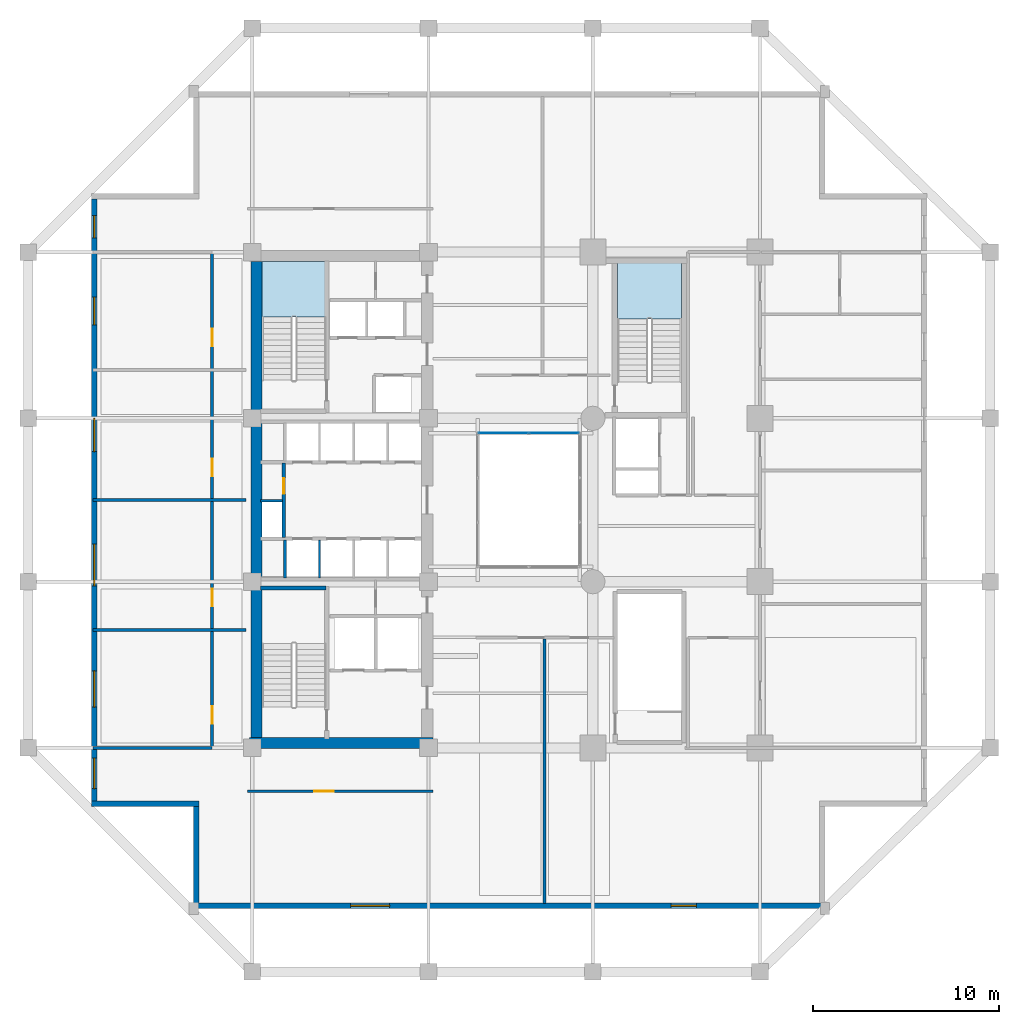
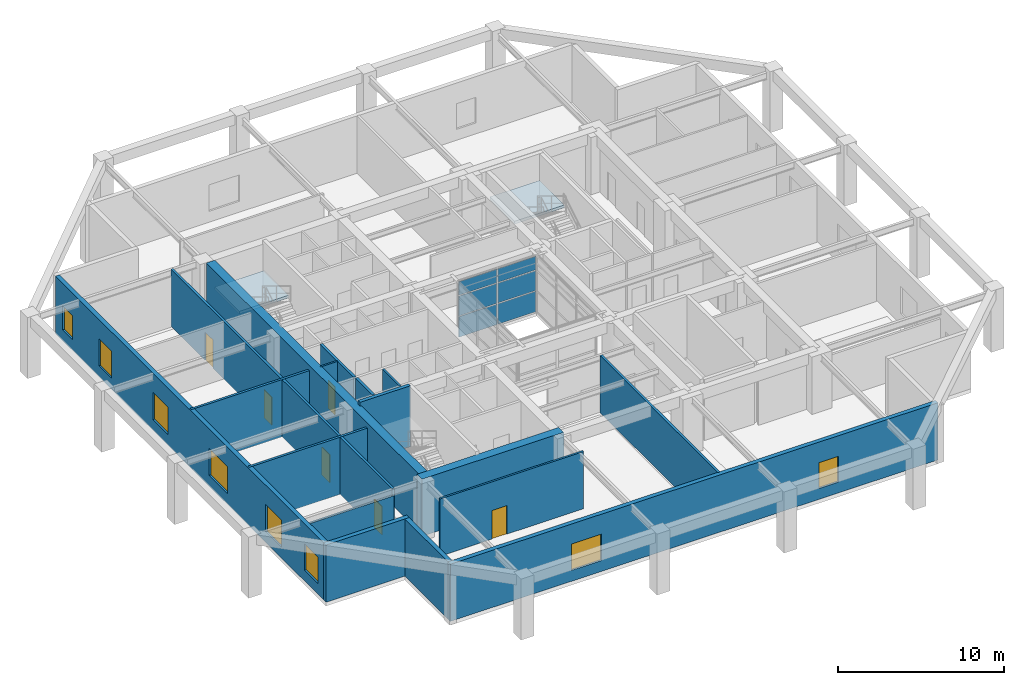
# One storey, part 6 of 13: 17 walls, 8 windows, 6 doors, 6 plates, 2 slabs, 14 openings, 3 elements without a shape of their own.
"""IFC4 building model written with IfcOpenShell, lengths in metres."""

from ifc_helpers import new_model, si_unit, direction, frame, frame_2d, origin, origin_2d, place, context, subcontext, project, spatial, polyline, rectangle, outline, extrude, material, layer, layer_set, type_object, element, fill, aggregate, save


model = new_model("IFC4")

# Units and contexts
model_context = context("Model", 3, precision=1e-05, world=origin(), true_north=direction((0.0, 1.0)))
body_context = subcontext(model_context, "Body", "Model", "MODEL_VIEW")
ifc_project = project(units=[si_unit("LENGTHUNIT", "METRE"), si_unit("AREAUNIT", "SQUARE_METRE"), si_unit("VOLUMEUNIT", "CUBIC_METRE"), si_unit("PLANEANGLEUNIT", "RADIAN"), si_unit("MASSUNIT", "GRAM", prefix="KILO")], contexts=[model_context])

# Site, building, storey
site_placement = place(None, origin())
site = spatial("IfcSite", under=ifc_project, at=site_placement, CompositionType="ELEMENT")
building_placement = place(site_placement, origin())
building = spatial("IfcBuilding", under=site, at=building_placement, Name="Kundavana Baori Tower", CompositionType="ELEMENT")
storey_placement = place(building_placement, frame((0.0, 0.0, 21.5)))
storey = spatial("IfcBuildingStorey", under=building, at=storey_placement, Name="L04", CompositionType="ELEMENT", Elevation=21.5)

# Curtain wall, plates
ifc_material_1 = material(Name="Thermally Broken Anodised Aluminium Framing", Category="aluminium")
ifc_layer_1 = layer(ifc_material_1, 0.175048828125, Name="CW-SYS-2")
ifc_layer_set_1 = layer_set([ifc_layer_1], Name="Thermally Broken Anodised Aluminium Framing")
curtain_wall_type = type_object("IfcCurtainWallType", Name="CW-SYS-2", PredefinedType="NOTDEFINED", material=ifc_layer_set_1)
curtain_wall_placement = place(storey_placement, origin())
curtain_wall = element("IfcCurtainWall", 1, at=curtain_wall_placement, inside=storey, type_object=curtain_wall_type, Name="L04 Atrium Glazed Curtain Wall N", PredefinedType="NOTDEFINED")
ifc_material_2 = material(Name="Double-Glazed Solar-Control Low-E Insulated Glass", Category="glass")
ifc_layer_2 = layer(ifc_material_2, 0.028076171875, Name="CW-PNL-GLS28")
ifc_layer_set_2 = layer_set([ifc_layer_2], Name="Double-Glazed Solar-Control Low-E Insulated Glass")
plate_type = type_object("IfcPlateType", Name="CW-PNL-GLS28", PredefinedType="CURTAIN_PANEL", material=ifc_layer_set_2)
plate_1_placement = place(storey_placement, frame((31.708740234375, 32.199951171875, 0.06494140625), z_axis=(0.0, 0.0, 1.0), x_axis=(-1.0, 0.0, 0.0)))
plate_1 = element("IfcPlate", 2, at=plate_1_placement, type_object=plate_type, Name="CW2 panel 1.1", PredefinedType="CURTAIN_PANEL", context=body_context, shape_type="SweptSolid", body=[
    extrude(rectangle(XDim=2.652587890625, YDim=0.028076171875, at=origin_2d()), origin(), (0.0, 0.0, 1.0), 1.506103515625),
])
plate_2_placement = place(storey_placement, frame((31.708740234375, 32.199951171875, 1.63623046875), z_axis=(0.0, 0.0, 1.0), x_axis=(-1.0, 0.0, 0.0)))
plate_2 = element("IfcPlate", 3, at=plate_2_placement, type_object=plate_type, Name="CW2 panel 1.2", PredefinedType="CURTAIN_PANEL", context=body_context, shape_type="SweptSolid", body=[
    extrude(rectangle(XDim=2.652587890625, YDim=0.028076171875, at=origin_2d()), origin(), (0.0, 0.0, 1.0), 1.4541015625),
])
plate_3_placement = place(storey_placement, frame((31.708740234375, 32.199951171875, 3.1552734375), z_axis=(0.0, 0.0, 1.0), x_axis=(-1.0, 0.0, 0.0)))
plate_3 = element("IfcPlate", 4, at=plate_3_placement, type_object=plate_type, Name="CW2 panel 1.3", PredefinedType="CURTAIN_PANEL", context=body_context, shape_type="SweptSolid", body=[
    extrude(rectangle(XDim=2.652587890625, YDim=0.028076171875, at=origin_2d()), origin(), (0.0, 0.0, 1.0), 0.999755859375),
])
plate_4_placement = place(storey_placement, frame((28.9912109375, 32.199951171875, 0.06494140625), z_axis=(0.0, 0.0, 1.0), x_axis=(-1.0, 0.0, 0.0)))
plate_4 = element("IfcPlate", 5, at=plate_4_placement, type_object=plate_type, Name="CW2 panel 2.1", PredefinedType="CURTAIN_PANEL", context=body_context, shape_type="SweptSolid", body=[
    extrude(rectangle(XDim=2.652587890625, YDim=0.028076171875, at=origin_2d()), origin(), (0.0, 0.0, 1.0), 1.506103515625),
])
plate_5_placement = place(storey_placement, frame((28.9912109375, 32.199951171875, 1.63623046875), z_axis=(0.0, 0.0, 1.0), x_axis=(-1.0, 0.0, 0.0)))
plate_5 = element("IfcPlate", 6, at=plate_5_placement, type_object=plate_type, Name="CW2 panel 2.2", PredefinedType="CURTAIN_PANEL", context=body_context, shape_type="SweptSolid", body=[
    extrude(rectangle(XDim=2.652587890625, YDim=0.028076171875, at=origin_2d()), origin(), (0.0, 0.0, 1.0), 1.4541015625),
])
plate_6_placement = place(storey_placement, frame((28.9912109375, 32.199951171875, 3.1552734375), z_axis=(0.0, 0.0, 1.0), x_axis=(-1.0, 0.0, 0.0)))
plate_6 = element("IfcPlate", 7, at=plate_6_placement, type_object=plate_type, Name="CW2 panel 2.3", PredefinedType="CURTAIN_PANEL", context=body_context, shape_type="SweptSolid", body=[
    extrude(rectangle(XDim=2.652587890625, YDim=0.028076171875, at=origin_2d()), origin(), (0.0, 0.0, 1.0), 0.999755859375),
])
aggregate(curtain_wall, [plate_1, plate_2, plate_3, plate_4, plate_5, plate_6])

# Stair, slab
ifc_material_3 = material(Name="Concrete C40/50", Category="concrete")
stair_type = type_object("IfcStairType", Name="STR-DOG-1650", PredefinedType="HALF_TURN_STAIR", material=ifc_material_3)
stair_1_placement = place(storey_placement, origin())
stair_1 = element("IfcStair", 8, at=stair_1_placement, inside=storey, type_object=stair_type, Name="L04 Protected Exit Stair ST2", PredefinedType="HALF_TURN_STAIR")
ifc_material_4 = material(Name="Concrete C40/50", Category="concrete")
ifc_layer_3 = layer(ifc_material_4, 0.199951171875, Name="SLB-LND-200")
ifc_layer_set_3 = layer_set([ifc_layer_3], Name="Concrete C40/50")
slab_type = type_object("IfcSlabType", Name="SLB-LND-200", PredefinedType="LANDING", material=ifc_layer_set_3)
slab_1_placement = place(storey_placement, frame((0.0, 0.0, 2.050048828125)))
slab_1 = element("IfcSlab", 9, at=slab_1_placement, type_object=slab_type, Name="ST2 landing 1", PredefinedType="LANDING", context=body_context, shape_type="SweptSolid", body=[
    extrude(outline(polyline([(19.43994140625, 38.4599609375), (19.43994140625, 41.449951171875), (15.97998046875, 41.449951171875), (15.97998046875, 38.4599609375), (19.43994140625, 38.4599609375)])), origin(), (0.0, 0.0, 1.0), 0.199951171875),
])
aggregate(stair_1, [slab_1])

stair_2_placement = place(storey_placement, origin())
stair_2 = element("IfcStair", 10, at=stair_2_placement, inside=storey, type_object=stair_type, Name="L04 Protected Exit Stair ST3", PredefinedType="HALF_TURN_STAIR")
slab_2_placement = place(storey_placement, frame((0.0, 0.0, 2.050048828125)))
slab_2 = element("IfcSlab", 11, at=slab_2_placement, type_object=slab_type, Name="ST3 landing 1", PredefinedType="LANDING", context=body_context, shape_type="SweptSolid", body=[
    extrude(outline(polyline([(38.580078125, 38.360107421875), (38.580078125, 41.35009765625), (35.1201171875, 41.35009765625), (35.1201171875, 38.360107421875), (38.580078125, 38.360107421875)])), origin(), (0.0, 0.0, 1.0), 0.199951171875),
])
aggregate(stair_2, [slab_2])

# Walls
ifc_material_5 = material(Name="Concrete C50/60", Category="concrete")
ifc_layer_4 = layer(ifc_material_5, 0.39990234375, Name="WL-CORE-400")
ifc_layer_set_4 = layer_set([ifc_layer_4], Name="Concrete C50/60")
wall_type_1 = type_object("IfcWallType", Name="WL-CORE-400", PredefinedType="SHEAR", material=ifc_layer_set_4)
wall_1_placement = place(storey_placement, frame((15.89990234375, 23.860107421875, 0.0), z_axis=(0.0, 0.0, 1.0), x_axis=(1.0, 0.0, 0.0)))
element("IfcWall", 12, at=wall_1_placement, inside=storey, type_object=wall_type_1, Name="WL-L04-ST1-N", PredefinedType="SHEAR", context=body_context, shape_type="SweptSolid", body=[
    extrude(rectangle(XDim=3.52001953125, YDim=0.239990234375, at=frame_2d((1.760009765625, 0.0))), origin(), (0.0, 0.0, 1.0), 4.5),
])
ifc_material_6 = material(Name="Concrete C60/75", Category="concrete")
ifc_layer_5 = layer(ifc_material_6, 0.60009765625, Name="WL-CORE-600")
ifc_layer_set_5 = layer_set([ifc_layer_5], Name="Concrete C60/75")
wall_type_2 = type_object("IfcWallType", Name="WL-CORE-600", PredefinedType="SHEAR", material=ifc_layer_set_5)
wall_2_placement = place(storey_placement, frame((15.300048828125, 15.510009765625, 0.0), z_axis=(0.0, 0.0, 1.0), x_axis=(1.0, 0.0, 0.0)))
element("IfcWall", 13, at=wall_2_placement, inside=storey, type_object=wall_type_2, Name="L04 Offset Core South Shear Wall", PredefinedType="SHEAR", context=body_context, shape_type="SweptSolid", body=[
    extrude(rectangle(XDim=9.8798828125, YDim=0.60009765625, at=frame_2d((4.93994140625, 0.0))), origin(), (0.0, 0.0, 1.0), 4.219970703125),
])
wall_3_placement = place(storey_placement, frame((15.68994140625, 15.81005859375, 0.0), z_axis=(0.0, 0.0, 1.0), x_axis=(0.0, 1.0, 0.0)))
element("IfcWall", 14, at=wall_3_placement, inside=storey, type_object=wall_type_2, Name="L04 Offset Core West Shear Wall", PredefinedType="SHEAR", context=body_context, shape_type="SweptSolid", body=[
    extrude(rectangle(XDim=25.6298828125, YDim=0.60009765625, at=frame_2d((12.81494140625, 0.0))), origin(), (0.0, 0.0, 1.0), 4.219970703125),
])

# Wall, openings, windows
ifc_material_7 = material(Name="Red-Buff Dholpur Sandstone Cladding on Concrete C40/50", Category="masonry")
ifc_layer_6 = layer(ifc_material_7, 0.300048828125, Name="WL-EXT-SAND-300")
ifc_layer_set_6 = layer_set([ifc_layer_6], Name="Red-Buff Dholpur Sandstone Cladding on Concrete C40/50")
wall_type_3 = type_object("IfcWallType", Name="WL-EXT-SAND-300", PredefinedType="STANDARD", material=ifc_layer_set_6)
wall_4_placement = place(storey_placement, frame((12.300048828125, 6.75, 0.0), z_axis=(0.0, 0.0, 1.0), x_axis=(1.0, 0.0, 0.0)))
wall_4 = element("IfcWall", 15, at=wall_4_placement, inside=storey, type_object=wall_type_3, Name="L04 Exterior Insulated Facade Wall 01", PredefinedType="STANDARD", context=body_context, shape_type="SweptSolid", body=[
    extrude(rectangle(XDim=34.0, YDim=0.300048828125, at=frame_2d((17.0, 0.0))), origin(), (0.0, 0.0, 1.0), 4.219970703125),
])
opening_1_placement = place(wall_4_placement, frame((8.455078125, 0.0, 0.800048828125)))
opening_1 = element("IfcOpeningElement", 16, at=opening_1_placement, cuts=wall_4, Name="Opening W-05", PredefinedType="OPENING", context=body_context, shape_type="SweptSolid", body=[
    extrude(rectangle(XDim=2.10009765625, YDim=1.949951171875, at=frame_2d((1.050048828125, 0.97509765625))), frame((0.0, 0.16015625, 0.0), z_axis=(0.0, -1.0, 0.0), x_axis=(1.0, 0.0, 0.0)), (0.0, 0.0, 1.0), 0.320068359375),
])
opening_2_placement = place(wall_4_placement, frame((25.719970703125, 0.0, 0.800048828125)))
opening_2 = element("IfcOpeningElement", 17, at=opening_2_placement, cuts=wall_4, Name="Opening W-07", PredefinedType="OPENING", context=body_context, shape_type="SweptSolid", body=[
    extrude(rectangle(XDim=1.35009765625, YDim=1.89990234375, at=frame_2d((0.675048828125, 0.949951171875))), frame((0.0, 0.16015625, 0.0), z_axis=(0.0, -1.0, 0.0), x_axis=(1.0, 0.0, 0.0)), (0.0, 0.0, 1.0), 0.320068359375),
])
ifc_material_8 = material(Name="Double-Glazed Solar-Control Low-E Insulated Glass", Category="glass")
window_type_1 = type_object("IfcWindowType", Name="WIN-LOG-1350x1900", PartitioningType="SINGLE_PANEL", PredefinedType="WINDOW", material=ifc_material_8)
window_1_placement = place(opening_2_placement, origin())
window_1 = element("IfcWindow", 18, at=window_1_placement, inside=storey, type_object=window_type_1, Name="L04 Recessed Loggia Window S-2", OverallHeight=1.89990234375, OverallWidth=1.35009765625, PartitioningType="SINGLE_PANEL", PredefinedType="WINDOW", context=body_context, shape_type="SweptSolid", body=[
    extrude(rectangle(XDim=1.35009765625, YDim=1.89990234375, at=frame_2d((0.675048828125, 0.949951171875))), frame((0.0, 0.030029296875, 0.0), z_axis=(0.0, -1.0, 0.0), x_axis=(1.0, 0.0, 0.0)), (0.0, 0.0, 1.0), 0.06005859375),
])
fill(opening_2, window_1)
ifc_material_9 = material(Name="Double-Glazed Solar-Control Low-E Insulated Glass", Category="glass")
window_type_2 = type_object("IfcWindowType", Name="WIN-LOG-2100x1950", PartitioningType="SINGLE_PANEL", PredefinedType="WINDOW", material=ifc_material_9)
window_2_placement = place(opening_1_placement, origin())
window_2 = element("IfcWindow", 19, at=window_2_placement, inside=storey, type_object=window_type_2, Name="L04 Recessed Loggia Window S-1", OverallHeight=1.949951171875, OverallWidth=2.10009765625, PartitioningType="SINGLE_PANEL", PredefinedType="WINDOW", context=body_context, shape_type="SweptSolid", body=[
    extrude(rectangle(XDim=2.10009765625, YDim=1.949951171875, at=frame_2d((1.050048828125, 0.97509765625))), frame((0.0, 0.030029296875, 0.0), z_axis=(0.0, -1.0, 0.0), x_axis=(1.0, 0.0, 0.0)), (0.0, 0.0, 1.0), 0.06005859375),
])
fill(opening_1, window_2)

wall_5_placement = place(storey_placement, frame((6.949951171875, 44.800048828125, 0.0), z_axis=(0.0, 0.0, 1.0), x_axis=(0.0, -1.0, 0.0)))
wall_5 = element("IfcWall", 20, at=wall_5_placement, inside=storey, type_object=wall_type_3, Name="L04 Exterior Insulated Facade Wall 10", PredefinedType="STANDARD", context=body_context, shape_type="SweptSolid", body=[
    extrude(rectangle(XDim=32.400146484375, YDim=0.300048828125, at=frame_2d((16.2001953125, 0.0))), origin(), (0.0, 0.0, 1.0), 4.219970703125),
])
opening_3_placement = place(wall_5_placement, frame((30.094970703125, 0.0, 0.800048828125)))
opening_3 = element("IfcOpeningElement", 21, at=opening_3_placement, cuts=wall_5, Name="Opening W-08", PredefinedType="OPENING", context=body_context, shape_type="SweptSolid", body=[
    extrude(rectangle(XDim=1.64990234375, YDim=1.949951171875, at=frame_2d((0.824951171875, 0.97509765625))), frame((0.0, 0.16015625, 0.0), z_axis=(0.0, -1.0, 0.0), x_axis=(1.0, 0.0, 0.0)), (0.0, 0.0, 1.0), 0.320068359375),
])
opening_4_placement = place(wall_5_placement, frame((25.39990234375, 0.0, 0.800048828125)))
opening_4 = element("IfcOpeningElement", 22, at=opening_4_placement, cuts=wall_5, Name="Opening W-09", PredefinedType="OPENING", context=body_context, shape_type="SweptSolid", body=[
    extrude(rectangle(XDim=1.949951171875, YDim=2.0, at=frame_2d((0.97509765625, 1.0))), frame((0.0, 0.16015625, 0.0), z_axis=(0.0, -1.0, 0.0), x_axis=(1.0, 0.0, 0.0)), (0.0, 0.0, 1.0), 0.320068359375),
])
opening_5_placement = place(wall_5_placement, frame((18.574951171875, 0.0, 0.800048828125)))
opening_5 = element("IfcOpeningElement", 23, at=opening_5_placement, cuts=wall_5, Name="Opening W-10", PredefinedType="OPENING", context=body_context, shape_type="SweptSolid", body=[
    extrude(rectangle(XDim=2.25, YDim=2.0, at=frame_2d((1.125, 1.0))), frame((0.0, 0.16015625, 0.0), z_axis=(0.0, -1.0, 0.0), x_axis=(1.0, 0.0, 0.0)), (0.0, 0.0, 1.0), 0.320068359375),
])
opening_6_placement = place(wall_5_placement, frame((11.800048828125, 0.0, 0.800048828125)))
opening_6 = element("IfcOpeningElement", 24, at=opening_6_placement, cuts=wall_5, Name="Opening W-01", PredefinedType="OPENING", context=body_context, shape_type="SweptSolid", body=[
    extrude(rectangle(XDim=1.800048828125, YDim=2.0, at=frame_2d((0.89990234375, 1.0))), frame((0.0, 0.16015625, 0.0), z_axis=(0.0, -1.0, 0.0), x_axis=(1.0, 0.0, 0.0)), (0.0, 0.0, 1.0), 0.320068359375),
])
opening_7_placement = place(wall_5_placement, frame((5.27490234375, 0.0, 0.800048828125)))
opening_7 = element("IfcOpeningElement", 25, at=opening_7_placement, cuts=wall_5, Name="Opening W-02", PredefinedType="OPENING", context=body_context, shape_type="SweptSolid", body=[
    extrude(rectangle(XDim=1.5, YDim=2.0, at=frame_2d((0.75, 1.0))), frame((0.0, 0.16015625, 0.0), z_axis=(0.0, -1.0, 0.0), x_axis=(1.0, 0.0, 0.0)), (0.0, 0.0, 1.0), 0.320068359375),
])
opening_8_placement = place(wall_5_placement, frame((0.8798828125, 0.0, 0.800048828125)))
opening_8 = element("IfcOpeningElement", 26, at=opening_8_placement, cuts=wall_5, Name="Opening W-03", PredefinedType="OPENING", context=body_context, shape_type="SweptSolid", body=[
    extrude(rectangle(XDim=1.199951171875, YDim=1.75, at=frame_2d((0.60009765625, 0.875))), frame((0.0, 0.16015625, 0.0), z_axis=(0.0, -1.0, 0.0), x_axis=(1.0, 0.0, 0.0)), (0.0, 0.0, 1.0), 0.320068359375),
])
ifc_material_10 = material(Name="Double-Glazed Solar-Control Low-E Insulated Glass", Category="glass")
window_type_3 = type_object("IfcWindowType", Name="WIN-LOG-1200x1750", PartitioningType="SINGLE_PANEL", PredefinedType="WINDOW", material=ifc_material_10)
window_3_placement = place(opening_8_placement, origin())
window_3 = element("IfcWindow", 27, at=window_3_placement, inside=storey, type_object=window_type_3, Name="L04 Recessed Loggia Window W-6", OverallHeight=1.75, OverallWidth=1.199951171875, PartitioningType="SINGLE_PANEL", PredefinedType="WINDOW", context=body_context, shape_type="SweptSolid", body=[
    extrude(rectangle(XDim=1.199951171875, YDim=1.75, at=frame_2d((0.60009765625, 0.875))), frame((0.0, 0.030029296875, 0.0), z_axis=(0.0, -1.0, 0.0), x_axis=(1.0, 0.0, 0.0)), (0.0, 0.0, 1.0), 0.06005859375),
])
fill(opening_8, window_3)
ifc_material_11 = material(Name="Double-Glazed Solar-Control Low-E Insulated Glass", Category="glass")
window_type_4 = type_object("IfcWindowType", Name="WIN-LOG-1500x2000", PartitioningType="SINGLE_PANEL", PredefinedType="WINDOW", material=ifc_material_11)
window_4_placement = place(opening_7_placement, origin())
window_4 = element("IfcWindow", 28, at=window_4_placement, inside=storey, type_object=window_type_4, Name="L04 Recessed Loggia Window W-5", OverallHeight=2.0, OverallWidth=1.5, PartitioningType="SINGLE_PANEL", PredefinedType="WINDOW", context=body_context, shape_type="SweptSolid", body=[
    extrude(rectangle(XDim=1.5, YDim=2.0, at=frame_2d((0.75, 1.0))), frame((0.0, 0.030029296875, 0.0), z_axis=(0.0, -1.0, 0.0), x_axis=(1.0, 0.0, 0.0)), (0.0, 0.0, 1.0), 0.06005859375),
])
fill(opening_7, window_4)
ifc_material_12 = material(Name="Double-Glazed Solar-Control Low-E Insulated Glass", Category="glass")
window_type_5 = type_object("IfcWindowType", Name="WIN-LOG-1650x1950", PartitioningType="SINGLE_PANEL", PredefinedType="WINDOW", material=ifc_material_12)
window_5_placement = place(opening_3_placement, origin())
window_5 = element("IfcWindow", 29, at=window_5_placement, inside=storey, type_object=window_type_5, Name="L04 Recessed Loggia Window W-1", OverallHeight=1.949951171875, OverallWidth=1.64990234375, PartitioningType="SINGLE_PANEL", PredefinedType="WINDOW", context=body_context, shape_type="SweptSolid", body=[
    extrude(rectangle(XDim=1.64990234375, YDim=1.949951171875, at=frame_2d((0.824951171875, 0.97509765625))), frame((0.0, 0.030029296875, 0.0), z_axis=(0.0, -1.0, 0.0), x_axis=(1.0, 0.0, 0.0)), (0.0, 0.0, 1.0), 0.06005859375),
])
fill(opening_3, window_5)
ifc_material_13 = material(Name="Double-Glazed Solar-Control Low-E Insulated Glass", Category="glass")
window_type_6 = type_object("IfcWindowType", Name="WIN-LOG-1800x2000", PartitioningType="SINGLE_PANEL", PredefinedType="WINDOW", material=ifc_material_13)
window_6_placement = place(opening_6_placement, origin())
window_6 = element("IfcWindow", 30, at=window_6_placement, inside=storey, type_object=window_type_6, Name="L04 Recessed Loggia Window W-4", OverallHeight=2.0, OverallWidth=1.800048828125, PartitioningType="SINGLE_PANEL", PredefinedType="WINDOW", context=body_context, shape_type="SweptSolid", body=[
    extrude(rectangle(XDim=1.800048828125, YDim=2.0, at=frame_2d((0.89990234375, 1.0))), frame((0.0, 0.030029296875, 0.0), z_axis=(0.0, -1.0, 0.0), x_axis=(1.0, 0.0, 0.0)), (0.0, 0.0, 1.0), 0.06005859375),
])
fill(opening_6, window_6)
ifc_material_14 = material(Name="Double-Glazed Solar-Control Low-E Insulated Glass", Category="glass")
window_type_7 = type_object("IfcWindowType", Name="WIN-LOG-1950x2000", PartitioningType="SINGLE_PANEL", PredefinedType="WINDOW", material=ifc_material_14)
window_7_placement = place(opening_4_placement, origin())
window_7 = element("IfcWindow", 31, at=window_7_placement, inside=storey, type_object=window_type_7, Name="L04 Recessed Loggia Window W-2", OverallHeight=2.0, OverallWidth=1.949951171875, PartitioningType="SINGLE_PANEL", PredefinedType="WINDOW", context=body_context, shape_type="SweptSolid", body=[
    extrude(rectangle(XDim=1.949951171875, YDim=2.0, at=frame_2d((0.97509765625, 1.0))), frame((0.0, 0.030029296875, 0.0), z_axis=(0.0, -1.0, 0.0), x_axis=(1.0, 0.0, 0.0)), (0.0, 0.0, 1.0), 0.06005859375),
])
fill(opening_4, window_7)
ifc_material_15 = material(Name="Double-Glazed Solar-Control Low-E Insulated Glass", Category="glass")
window_type_8 = type_object("IfcWindowType", Name="WIN-LOG-2250x2000", PartitioningType="SINGLE_PANEL", PredefinedType="WINDOW", material=ifc_material_15)
window_8_placement = place(opening_5_placement, origin())
window_8 = element("IfcWindow", 32, at=window_8_placement, inside=storey, type_object=window_type_8, Name="L04 Recessed Loggia Window W-3", OverallHeight=2.0, OverallWidth=2.25, PartitioningType="SINGLE_PANEL", PredefinedType="WINDOW", context=body_context, shape_type="SweptSolid", body=[
    extrude(rectangle(XDim=2.25, YDim=2.0, at=frame_2d((1.125, 1.0))), frame((0.0, 0.030029296875, 0.0), z_axis=(0.0, -1.0, 0.0), x_axis=(1.0, 0.0, 0.0)), (0.0, 0.0, 1.0), 0.06005859375),
])
fill(opening_5, window_8)

# Walls
wall_6_placement = place(storey_placement, frame((6.800048828125, 12.25, 0.0), z_axis=(0.0, 0.0, 1.0), x_axis=(1.0, 0.0, 0.0)))
element("IfcWall", 33, at=wall_6_placement, inside=storey, type_object=wall_type_3, Name="L04 Exterior Insulated Facade Wall 11", PredefinedType="STANDARD", context=body_context, shape_type="SweptSolid", body=[
    extrude(rectangle(XDim=5.800048828125, YDim=0.300048828125, at=frame_2d((2.89990234375, 0.0))), origin(), (0.0, 0.0, 1.0), 4.219970703125),
])
wall_7_placement = place(storey_placement, frame((12.449951171875, 12.10009765625, 0.0), z_axis=(0.0, 0.0, 1.0), x_axis=(0.0, -1.0, 0.0)))
element("IfcWall", 34, at=wall_7_placement, inside=storey, type_object=wall_type_3, Name="L04 Exterior Insulated Facade Wall 12", PredefinedType="STANDARD", context=body_context, shape_type="SweptSolid", body=[
    extrude(rectangle(XDim=5.2001953125, YDim=0.300048828125, at=frame_2d((2.60009765625, 0.0))), origin(), (0.0, 0.0, 1.0), 4.219970703125),
])
ifc_material_16 = material(Name="Acoustic Gypsum Plasterboard on Galvanised Steel Studs", Category="steel")
ifc_layer_7 = layer(ifc_material_16, 0.1201171875, Name="WL-PART-120")
ifc_layer_set_7 = layer_set([ifc_layer_7], Name="Acoustic Gypsum Plasterboard on Galvanised Steel Studs")
wall_type_4 = type_object("IfcWallType", Name="WL-PART-120", PredefinedType="PARTITIONING", material=ifc_layer_set_7)
wall_8_placement = place(storey_placement, frame((19.080078125, 24.39990234375, 0.0), z_axis=(0.0, 0.0, 1.0), x_axis=(0.0, 1.0, 0.0)))
element("IfcWall", 35, at=wall_8_placement, inside=storey, type_object=wall_type_4, Name="WL-L04-LPLOW-D1", PredefinedType="PARTITIONING", context=body_context, shape_type="SweptSolid", body=[
    extrude(rectangle(XDim=2.050048828125, YDim=0.1201171875, at=frame_2d((1.02490234375, 0.0))), origin(), (0.0, 0.0, 1.0), 4.219970703125),
])
wall_9_placement = place(storey_placement, frame((15.89990234375, 28.56005859375, 0.0), z_axis=(0.0, 0.0, 1.0), x_axis=(1.0, 0.0, 0.0)))
element("IfcWall", 36, at=wall_9_placement, inside=storey, type_object=wall_type_4, Name="WL-L04-RSRW-N", PredefinedType="PARTITIONING", context=body_context, shape_type="SweptSolid", body=[
    extrude(rectangle(XDim=1.2001953125, YDim=0.1201171875, at=frame_2d((0.60009765625, 0.0))), origin(), (0.0, 0.0, 1.0), 4.219970703125),
])

# Wall, opening, door
ifc_material_17 = material(Name="Acoustic Gypsum Plasterboard on Galvanised Steel Studs", Category="steel")
ifc_layer_8 = layer(ifc_material_17, 0.135009765625, Name="WL-PART-135")
ifc_layer_set_8 = layer_set([ifc_layer_8], Name="Acoustic Gypsum Plasterboard on Galvanised Steel Studs")
wall_type_5 = type_object("IfcWallType", Name="WL-PART-135", PredefinedType="PARTITIONING", material=ifc_layer_set_8)
wall_10_placement = place(storey_placement, frame((15.199951171875, 12.919921875, 0.0), z_axis=(0.0, 0.0, 1.0), x_axis=(1.0, 0.0, 0.0)))
wall_10 = element("IfcWall", 37, at=wall_10_placement, inside=storey, type_object=wall_type_5, Name="WL-L04-SC", PredefinedType="PARTITIONING", context=body_context, shape_type="SweptSolid", body=[
    extrude(rectangle(XDim=10.0, YDim=0.135009765625, at=frame_2d((5.0, 0.0))), origin(), (0.0, 0.0, 1.0), 4.219970703125),
])
opening_9_placement = place(wall_10_placement, frame((3.60009765625, 0.0, 0.0)))
opening_9 = element("IfcOpeningElement", 38, at=opening_9_placement, cuts=wall_10, Name="Opening ID-105", PredefinedType="OPENING", context=body_context, shape_type="SweptSolid", body=[
    extrude(rectangle(XDim=1.050048828125, YDim=2.10009765625, at=frame_2d((0.52490234375, 1.050048828125))), frame((0.0, 0.07763671875, 0.0), z_axis=(0.0, -1.0, 0.0), x_axis=(1.0, 0.0, 0.0)), (0.0, 0.0, 1.0), 0.155029296875),
])
ifc_material_18 = material(Name="Engineered Teak Solid-Core Timber Veneer", Category="wood")
door_type_1 = type_object("IfcDoorType", Name="DR-INT-1050", OperationType="NOTDEFINED", PredefinedType="DOOR", material=ifc_material_18)
door_1_placement = place(opening_9_placement, frame((1.050048828125, 0.0, 0.0), z_axis=(0.0, 0.0, 1.0), x_axis=(-1.0, 0.0, 0.0)))
door_1 = element("IfcDoor", 39, at=door_1_placement, inside=storey, type_object=door_type_1, Name="DR-L04-RSW", OperationType="SINGLE_SWING_LEFT", OverallHeight=2.10009765625, OverallWidth=1.050048828125, PredefinedType="DOOR", context=body_context, shape_type="SweptSolid", body=[
    extrude(rectangle(XDim=1.050048828125, YDim=2.10009765625, at=frame_2d((0.52490234375, 1.050048828125))), frame((0.0, 0.02490234375, 0.0), z_axis=(0.0, -1.0, 0.0), x_axis=(1.0, 0.0, 0.0)), (0.0, 0.0, 1.0), 0.050048828125),
])
fill(opening_9, door_1)

# Wall, openings, doors
ifc_material_19 = material(Name="Fire-Rated Gypsum Drywall on Galvanised Steel Studs", Category="steel")
ifc_layer_9 = layer(ifc_material_19, 0.1650390625, Name="WL-PART-165")
ifc_layer_set_9 = layer_set([ifc_layer_9], Name="Fire-Rated Gypsum Drywall on Galvanised Steel Studs")
wall_type_6 = type_object("IfcWallType", Name="WL-PART-165", PredefinedType="PARTITIONING", material=ifc_layer_set_9)
wall_11_placement = place(storey_placement, frame((13.300048828125, 15.25, 0.0), z_axis=(0.0, 0.0, 1.0), x_axis=(0.0, 1.0, 0.0)))
wall_11 = element("IfcWall", 40, at=wall_11_placement, inside=storey, type_object=wall_type_6, Name="WL-L04-PWE", PredefinedType="PARTITIONING", context=body_context, shape_type="SweptSolid", body=[
    extrude(rectangle(XDim=26.699951171875, YDim=0.1650390625, at=frame_2d((13.35009765625, 0.0))), origin(), (0.0, 0.0, 1.0), 4.219970703125),
])
opening_10_placement = place(wall_11_placement, frame((1.300048828125, 0.0, 0.0)))
opening_10 = element("IfcOpeningElement", 41, at=opening_10_placement, cuts=wall_11, Name="Opening ID-095", PredefinedType="OPENING", context=body_context, shape_type="SweptSolid", body=[
    extrude(rectangle(XDim=0.949951171875, YDim=2.080078125, at=frame_2d((0.47509765625, 1.0400390625))), frame((0.0, 0.092529296875, 0.0), z_axis=(0.0, -1.0, 0.0), x_axis=(1.0, 0.0, 0.0)), (0.0, 0.0, 1.0), 0.18505859375),
])
opening_11_placement = place(wall_11_placement, frame((7.6298828125, 0.0, 0.0)))
opening_11 = element("IfcOpeningElement", 42, at=opening_11_placement, cuts=wall_11, Name="Opening ID-095", PredefinedType="OPENING", context=body_context, shape_type="SweptSolid", body=[
    extrude(rectangle(XDim=0.949951171875, YDim=2.080078125, at=frame_2d((0.47509765625, 1.0400390625))), frame((0.0, 0.092529296875, 0.0), z_axis=(0.0, -1.0, 0.0), x_axis=(1.0, 0.0, 0.0)), (0.0, 0.0, 1.0), 0.18505859375),
])
opening_12_placement = place(wall_11_placement, frame((14.6298828125, 0.0, 0.0)))
opening_12 = element("IfcOpeningElement", 43, at=opening_12_placement, cuts=wall_11, Name="Opening ID-095", PredefinedType="OPENING", context=body_context, shape_type="SweptSolid", body=[
    extrude(rectangle(XDim=0.949951171875, YDim=2.080078125, at=frame_2d((0.47509765625, 1.0400390625))), frame((0.0, 0.092529296875, 0.0), z_axis=(0.0, -1.0, 0.0), x_axis=(1.0, 0.0, 0.0)), (0.0, 0.0, 1.0), 0.18505859375),
])
opening_13_placement = place(wall_11_placement, frame((21.6298828125, 0.0, 0.0)))
opening_13 = element("IfcOpeningElement", 44, at=opening_13_placement, cuts=wall_11, Name="Opening ID-095", PredefinedType="OPENING", context=body_context, shape_type="SweptSolid", body=[
    extrude(rectangle(XDim=0.949951171875, YDim=2.080078125, at=frame_2d((0.47509765625, 1.0400390625))), frame((0.0, 0.092529296875, 0.0), z_axis=(0.0, -1.0, 0.0), x_axis=(1.0, 0.0, 0.0)), (0.0, 0.0, 1.0), 0.18505859375),
])
ifc_material_20 = material(Name="Engineered Teak Solid-Core Timber Veneer", Category="wood")
door_type_2 = type_object("IfcDoorType", Name="DR-INT-950", OperationType="NOTDEFINED", PredefinedType="DOOR", material=ifc_material_20)
door_2_placement = place(opening_10_placement, origin())
door_2 = element("IfcDoor", 45, at=door_2_placement, inside=storey, type_object=door_type_2, Name="DR-L04-SMW1", OperationType="SINGLE_SWING_LEFT", OverallHeight=2.080078125, OverallWidth=0.949951171875, PredefinedType="DOOR", context=body_context, shape_type="SweptSolid", body=[
    extrude(rectangle(XDim=0.949951171875, YDim=2.080078125, at=frame_2d((0.47509765625, 1.0400390625))), frame((0.0, 0.02490234375, 0.0), z_axis=(0.0, -1.0, 0.0), x_axis=(1.0, 0.0, 0.0)), (0.0, 0.0, 1.0), 0.050048828125),
])
fill(opening_10, door_2)
door_3_placement = place(opening_11_placement, origin())
door_3 = element("IfcDoor", 46, at=door_3_placement, inside=storey, type_object=door_type_2, Name="DR-L04-SMW2", OperationType="SINGLE_SWING_LEFT", OverallHeight=2.080078125, OverallWidth=0.949951171875, PredefinedType="DOOR", context=body_context, shape_type="SweptSolid", body=[
    extrude(rectangle(XDim=0.949951171875, YDim=2.080078125, at=frame_2d((0.47509765625, 1.0400390625))), frame((0.0, 0.02490234375, 0.0), z_axis=(0.0, -1.0, 0.0), x_axis=(1.0, 0.0, 0.0)), (0.0, 0.0, 1.0), 0.050048828125),
])
fill(opening_11, door_3)
door_4_placement = place(opening_12_placement, origin())
door_4 = element("IfcDoor", 47, at=door_4_placement, inside=storey, type_object=door_type_2, Name="DR-L04-SMW3", OperationType="SINGLE_SWING_LEFT", OverallHeight=2.080078125, OverallWidth=0.949951171875, PredefinedType="DOOR", context=body_context, shape_type="SweptSolid", body=[
    extrude(rectangle(XDim=0.949951171875, YDim=2.080078125, at=frame_2d((0.47509765625, 1.0400390625))), frame((0.0, 0.02490234375, 0.0), z_axis=(0.0, -1.0, 0.0), x_axis=(1.0, 0.0, 0.0)), (0.0, 0.0, 1.0), 0.050048828125),
])
fill(opening_12, door_4)
door_5_placement = place(opening_13_placement, origin())
door_5 = element("IfcDoor", 48, at=door_5_placement, inside=storey, type_object=door_type_2, Name="DR-L04-SMW4", OperationType="SINGLE_SWING_LEFT", OverallHeight=2.080078125, OverallWidth=0.949951171875, PredefinedType="DOOR", context=body_context, shape_type="SweptSolid", body=[
    extrude(rectangle(XDim=0.949951171875, YDim=2.080078125, at=frame_2d((0.47509765625, 1.0400390625))), frame((0.0, 0.02490234375, 0.0), z_axis=(0.0, -1.0, 0.0), x_axis=(1.0, 0.0, 0.0)), (0.0, 0.0, 1.0), 0.050048828125),
])
fill(opening_13, door_5)

# Walls
wall_12_placement = place(storey_placement, frame((6.8798828125, 15.25, 0.0), z_axis=(0.0, 0.0, 1.0), x_axis=(1.0, 0.0, 0.0)))
element("IfcWall", 49, at=wall_12_placement, inside=storey, type_object=wall_type_6, Name="WL-L04-PW-S", PredefinedType="PARTITIONING", context=body_context, shape_type="SweptSolid", body=[
    extrude(rectangle(XDim=6.420166015625, YDim=0.1650390625, at=frame_2d((3.2099609375, 0.0))), origin(), (0.0, 0.0, 1.0), 3.719970703125),
])
wall_13_placement = place(storey_placement, frame((31.199951171875, 6.8798828125, 0.0), z_axis=(0.0, 0.0, 1.0), x_axis=(0.0, 1.0, 0.0)))
element("IfcWall", 50, at=wall_13_placement, inside=storey, type_object=wall_type_6, Name="WL-L04-BS1", PredefinedType="PARTITIONING", context=body_context, shape_type="SweptSolid", body=[
    extrude(rectangle(XDim=14.240234375, YDim=0.1650390625, at=frame_2d((7.1201171875, 0.0))), origin(), (0.0, 0.0, 1.0), 4.219970703125),
])
for number, where, z_axis, x_axis, name in (
    (51, (6.8798828125, 21.60009765625, 0.0), (0.0, 0.0, 1.0), (1.0, 0.0, 0.0), "WL-L04-GW1"),
    (52, (6.8798828125, 28.60009765625, 0.0), (0.0, 0.0, 1.0), (1.0, 0.0, 0.0), "WL-L04-GW2"),
):
    element("IfcWall", number, at=place(storey_placement, frame(where, z_axis=z_axis, x_axis=x_axis)), inside=storey, type_object=wall_type_6, Name=name, PredefinedType="PARTITIONING", context=body_context, shape_type="SweptSolid", body=[
        extrude(rectangle(XDim=8.240234375, YDim=0.1650390625, at=frame_2d((4.1201171875, 0.0))), origin(), (0.0, 0.0, 1.0), 4.219970703125),
    ])
ifc_material_21 = material(Name="Autoclaved Aerated Concrete Blockwork Masonry", Category="masonry")
ifc_layer_10 = layer(ifc_material_21, 0.179931640625, Name="WL-SHAFT-180")
ifc_layer_set_10 = layer_set([ifc_layer_10], Name="Autoclaved Aerated Concrete Blockwork Masonry")
wall_type_7 = type_object("IfcWallType", Name="WL-SHAFT-180", PredefinedType="SOLIDWALL", material=ifc_layer_set_10)
wall_14_placement = place(storey_placement, frame((17.219970703125, 24.39990234375, 0.0), z_axis=(0.0, 0.0, 1.0), x_axis=(0.0, 1.0, 0.0)))
element("IfcWall", 53, at=wall_14_placement, inside=storey, type_object=wall_type_7, Name="WL-L04-LPLOW-W", PredefinedType="SOLIDWALL", context=body_context, shape_type="SweptSolid", body=[
    extrude(rectangle(XDim=2.050048828125, YDim=0.179931640625, at=frame_2d((1.02490234375, 0.0))), origin(), (0.0, 0.0, 1.0), 4.219970703125),
])

# Wall, opening, door
wall_15_placement = place(storey_placement, frame((17.159912109375, 26.580078125, 0.0), z_axis=(0.0, 0.0, 1.0), x_axis=(0.0, 1.0, 0.0)))
wall_15 = element("IfcWall", 54, at=wall_15_placement, inside=storey, type_object=wall_type_7, Name="WL-L04-RSRW-E", PredefinedType="SOLIDWALL", context=body_context, shape_type="SweptSolid", body=[
    extrude(rectangle(XDim=4.02001953125, YDim=0.179931640625, at=frame_2d((2.010009765625, 0.0))), origin(), (0.0, 0.0, 1.0), 4.219970703125),
])
opening_14_placement = place(wall_15_placement, frame((2.35009765625, 0.0, 0.0)))
opening_14 = element("IfcOpeningElement", 55, at=opening_14_placement, cuts=wall_15, Name="Opening FD-085", PredefinedType="OPENING", context=body_context, shape_type="SweptSolid", body=[
    extrude(rectangle(XDim=0.85009765625, YDim=2.06005859375, at=frame_2d((0.425048828125, 1.030029296875))), frame((0.0, 0.10009765625, 0.0), z_axis=(0.0, -1.0, 0.0), x_axis=(1.0, 0.0, 0.0)), (0.0, 0.0, 1.0), 0.199951171875),
])
ifc_material_22 = material(Name="Galvanised Steel Fire-Rated Door Leaf", Category="steel")
door_type_3 = type_object("IfcDoorType", Name="DR-FD60-850", OperationType="NOTDEFINED", PredefinedType="DOOR", material=ifc_material_22)
door_6_placement = place(opening_14_placement, origin())
door_6 = element("IfcDoor", 56, at=door_6_placement, inside=storey, type_object=door_type_3, Name="DR-L04-CLN", OperationType="SINGLE_SWING_RIGHT", OverallHeight=2.06005859375, OverallWidth=0.85009765625, PredefinedType="DOOR", context=body_context, shape_type="SweptSolid", body=[
    extrude(rectangle(XDim=0.85009765625, YDim=2.06005859375, at=frame_2d((0.425048828125, 1.030029296875))), frame((0.0, 0.02490234375, 0.0), z_axis=(0.0, -1.0, 0.0), x_axis=(1.0, 0.0, 0.0)), (0.0, 0.0, 1.0), 0.050048828125),
])
fill(opening_14, door_6)

save(model, "model.ifc")
